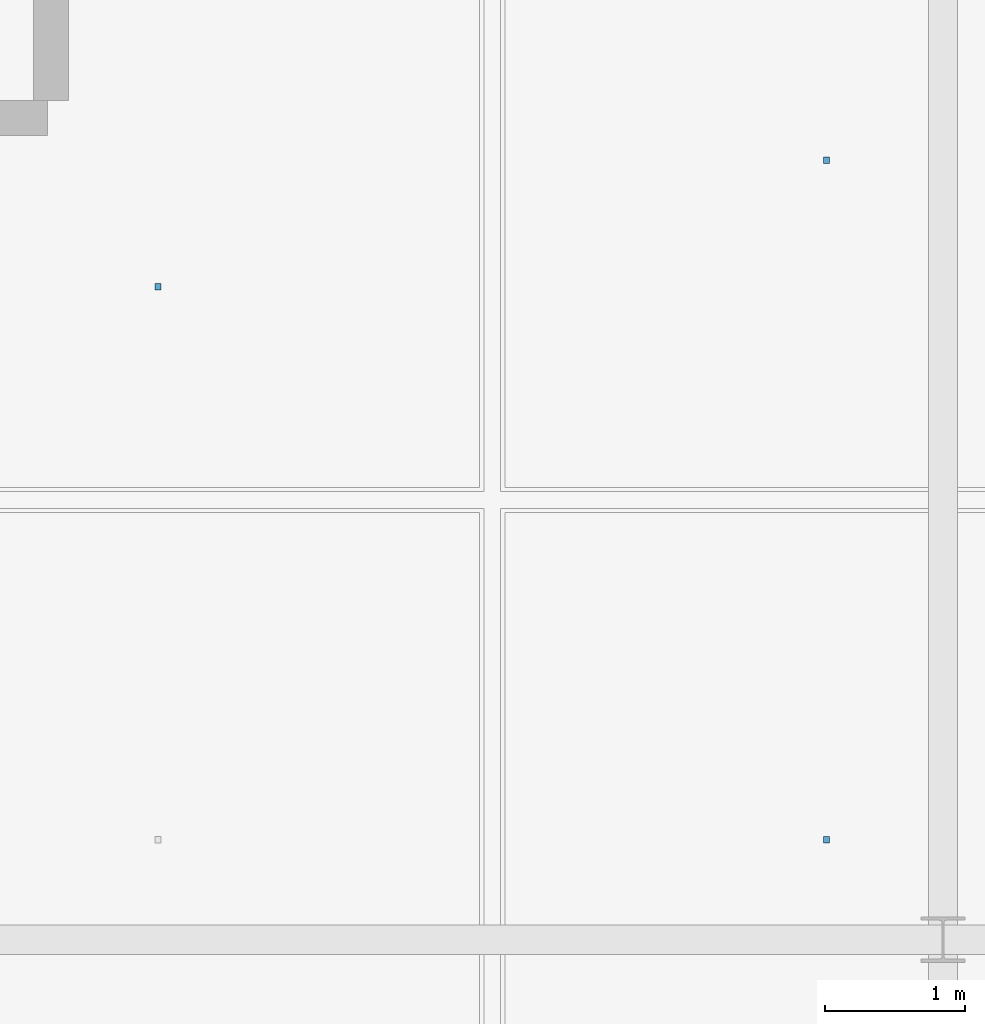
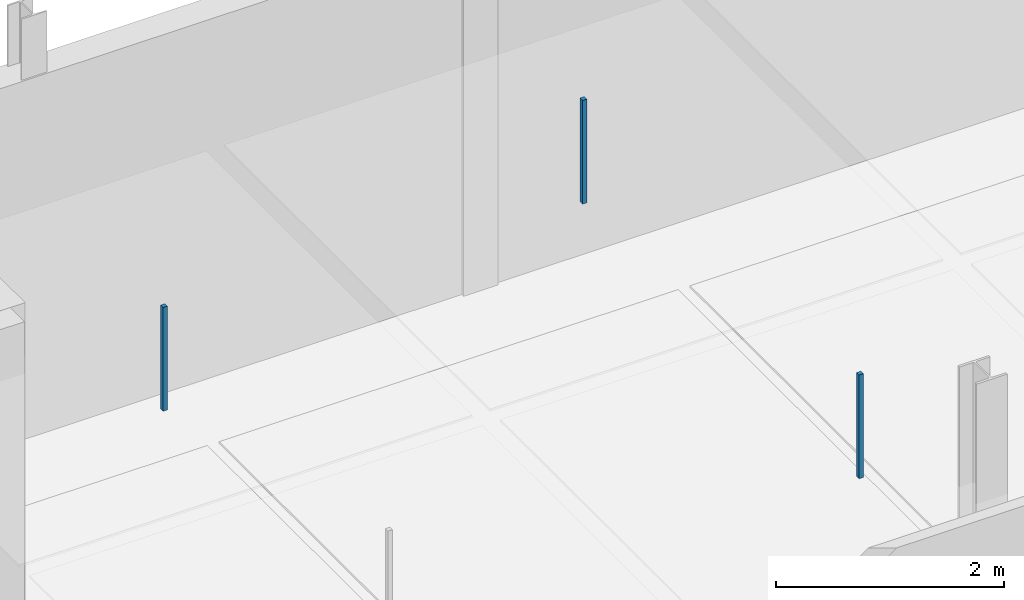
# One storey, part 54 of 89: 3 discrete accessories.
"""IFC4 building model written with IfcOpenShell, lengths in metres."""

from ifc_helpers import new_model, si_unit, direction, frame, origin, origin_2d, place, context, subcontext, project, spatial, rectangle, extrude, material, type_object, element, save


model = new_model("IFC4")

# Units and contexts
model_context = context("Model", 3, precision=1e-05, world=origin(), true_north=direction((0.0, 1.0)))
body_context = subcontext(model_context, "Body", "Model", "MODEL_VIEW")
ifc_project = project(units=[si_unit("LENGTHUNIT", "METRE"), si_unit("AREAUNIT", "SQUARE_METRE"), si_unit("VOLUMEUNIT", "CUBIC_METRE"), si_unit("PLANEANGLEUNIT", "RADIAN"), si_unit("MASSUNIT", "GRAM", prefix="KILO"), si_unit("THERMODYNAMICTEMPERATUREUNIT", "KELVIN"), si_unit("POWERUNIT", "WATT")], contexts=[model_context])

# Site, building, storey
site_placement = place(None, origin())
site = spatial("IfcSite", under=ifc_project, at=site_placement, CompositionType="ELEMENT")
building_placement = place(site_placement, origin())
building = spatial("IfcBuilding", under=site, at=building_placement, Name="Tallowbark Science Centre", CompositionType="ELEMENT")
storey_placement = place(building_placement, frame((0.0, 0.0, 14.39990234375)))
storey = spatial("IfcBuildingStorey", under=building, at=storey_placement, Name="L03", CompositionType="ELEMENT", Elevation=14.39990234375)

# Discrete accessories
ifc_material = material(Name="Galvanised Steel Grade C350L0 (350 MPa)", Category="steel")
discrete_accessory_type = type_object("IfcDiscreteAccessoryType", Name="ACC-CLG-HNG", PredefinedType="BRACKET", material=ifc_material)
for number, where, z_axis, x_axis, name in (
    (1, (61.888916015625, 36.16650390625, 3.20947265625), (0.0, 0.0, 1.0), (1.0, 0.0, 0.0), "Ceiling Hanger Bracket L03-950"),
    (2, (66.666748046875, 32.21435546875, 3.20947265625), (0.0, 0.0, 1.0), (1.0, 0.0, 0.0), "Ceiling Hanger Bracket L03-954"),
    (3, (66.666748046875, 37.0712890625, 3.20947265625), (0.0, 0.0, 1.0), (1.0, 0.0, 0.0), "Ceiling Hanger Bracket L03-955"),
):
    element("IfcDiscreteAccessory", number, at=place(storey_placement, frame(where, z_axis=z_axis, x_axis=x_axis)), inside=storey, type_object=discrete_accessory_type, Name=name, PredefinedType="BRACKET", context=body_context, shape_type="SweptSolid", body=[
        extrude(rectangle(XDim=0.044921875, YDim=0.044921875, at=origin_2d()), origin(), (0.0, 0.0, 1.0), 1.113525390625),
    ])

save(model, "model.ifc")
